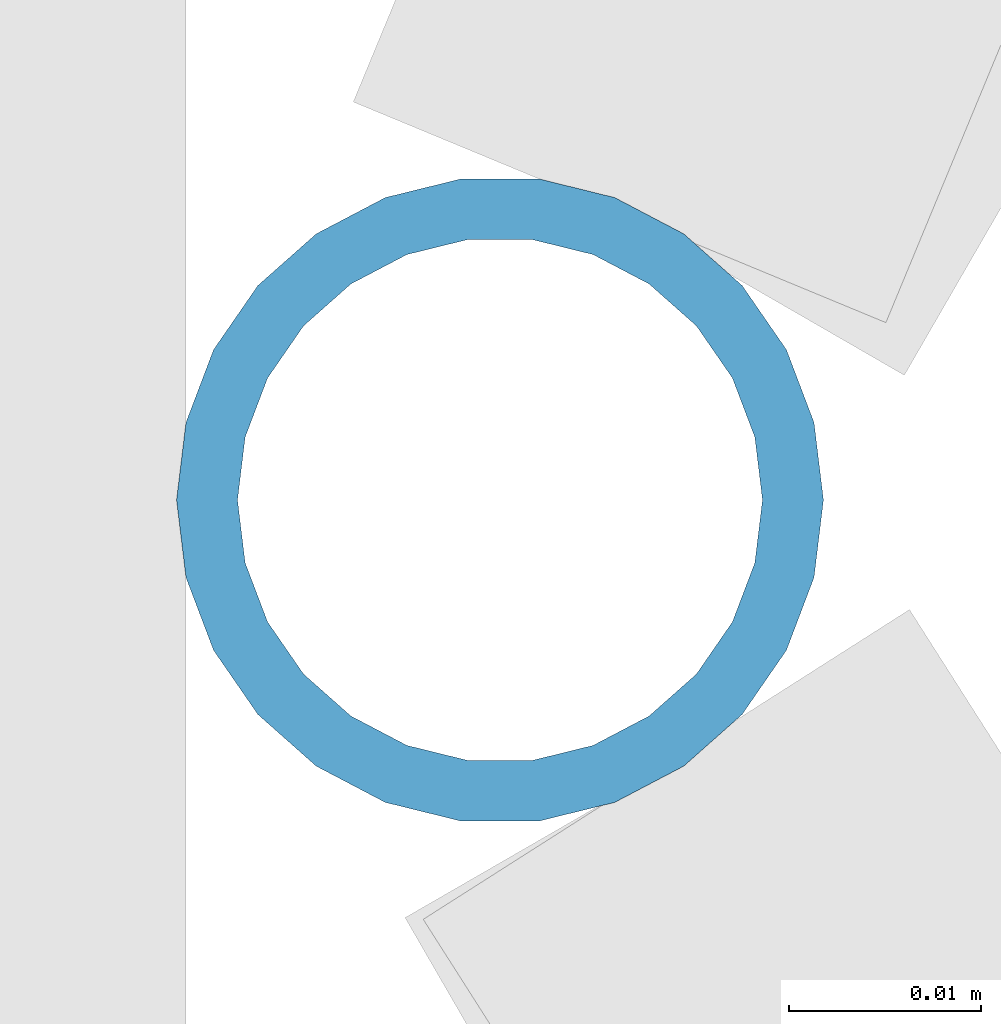
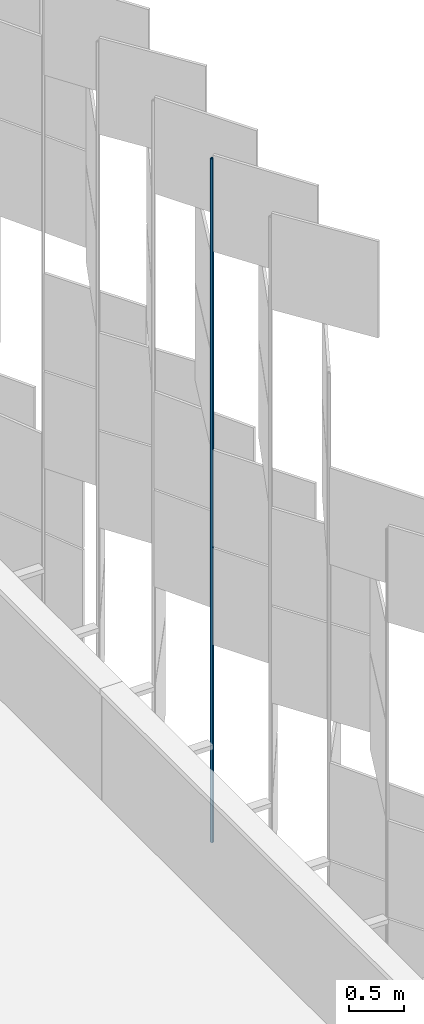
# One storey, part 273 of 483: 1 discrete accessory.
"""IFC4 building model written with IfcOpenShell, lengths in metres."""

from ifc_helpers import new_model, si_unit, direction, frame, origin, origin_2d, place, context, subcontext, project, spatial, hollow_circle, extrude, material, material_profile, profile_set, type_object, element, save


model = new_model("IFC4")

# Units and contexts
model_context = context("Model", 3, precision=1e-05, world=origin(), true_north=direction((0.0, 1.0)))
body_context = subcontext(model_context, "Body", "Model", "MODEL_VIEW")
ifc_project = project(units=[si_unit("LENGTHUNIT", "METRE"), si_unit("AREAUNIT", "SQUARE_METRE"), si_unit("VOLUMEUNIT", "CUBIC_METRE"), si_unit("PLANEANGLEUNIT", "RADIAN"), si_unit("MASSUNIT", "GRAM", prefix="KILO")], contexts=[model_context])

# Site, building, storey
site_placement = place(None, origin())
site = spatial("IfcSite", under=ifc_project, at=site_placement, CompositionType="ELEMENT")
building_placement = place(site_placement, origin())
building = spatial("IfcBuilding", under=site, at=building_placement, Name="Parallax Yard Mobility Hub", CompositionType="ELEMENT")
storey_placement = place(building_placement, frame((0.0, 0.0, 13.199951171875)))
storey = spatial("IfcBuildingStorey", under=building, at=storey_placement, Name="L04", CompositionType="ELEMENT", Elevation=13.199951171875)

# Discrete accessory
ifc_material = material(Name="Steel ASTM A500 Gr C, hot-dip galvanised", Category="steel")
ifc_material_profile = material_profile(ifc_material, hollow_circle(Radius=0.016845703125, WallThickness=0.003173828125, at=origin_2d()), Name="CHS 33.7x3.2")
ifc_profile_set = profile_set([ifc_material_profile], Name="Steel ASTM A500 Gr C, hot-dip galvanised")
discrete_accessory_type = type_object("IfcDiscreteAccessoryType", Name="Hinge post CHS 33.7x3.2", PredefinedType="BRACKET", material=ifc_profile_set)
discrete_accessory_placement = place(storey_placement, frame((225.300048828125, 73.926513671875, 0.0), z_axis=(0.0, 0.0, 1.0), x_axis=(1.0, 0.0, 0.0)))
element("IfcDiscreteAccessory", 1, at=discrete_accessory_placement, inside=storey, type_object=discrete_accessory_type, Name="Hinge post bay 38.7 level L04", PredefinedType="BRACKET", context=body_context, shape_type="SweptSolid", body=[
    extrude(hollow_circle(Radius=0.016845703125, WallThickness=0.003173828125, at=origin_2d()), origin(), (0.0, 0.0, 1.0), 7.650146484375),
])

save(model, "model.ifc")
